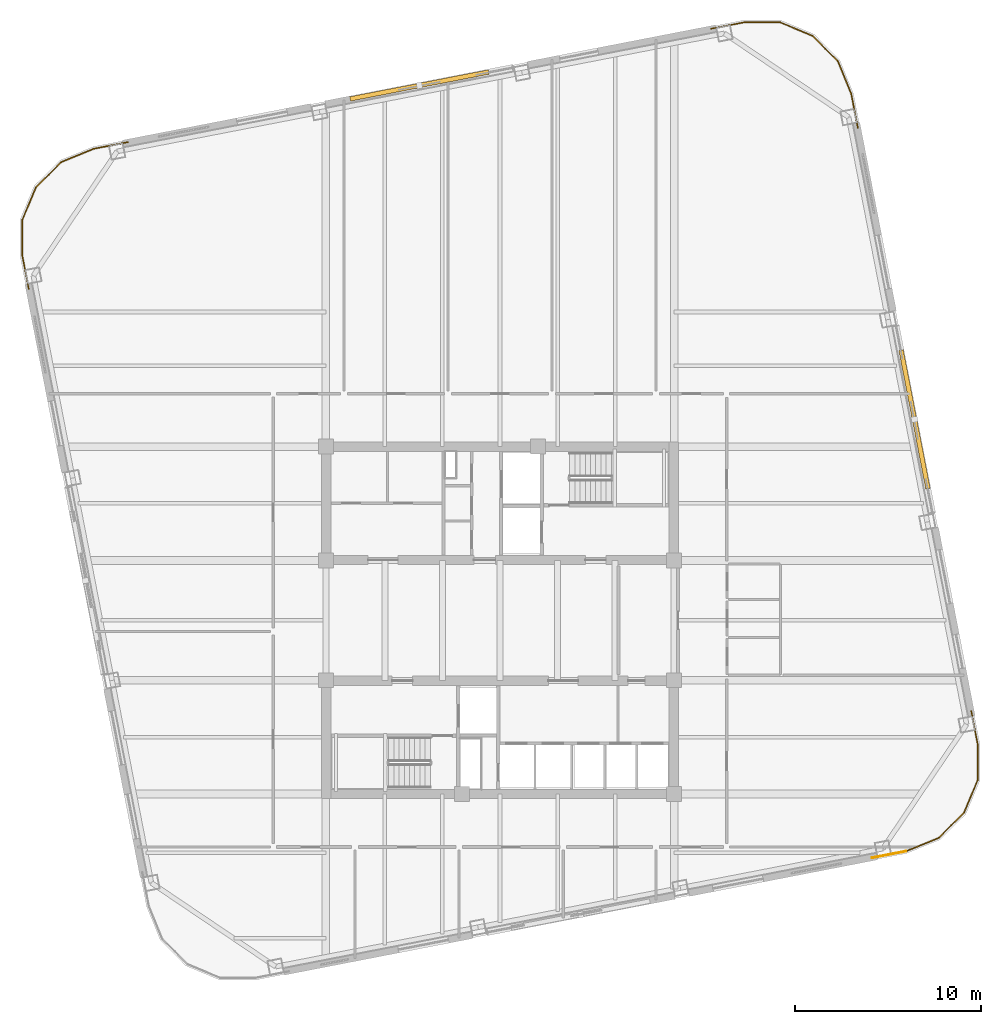
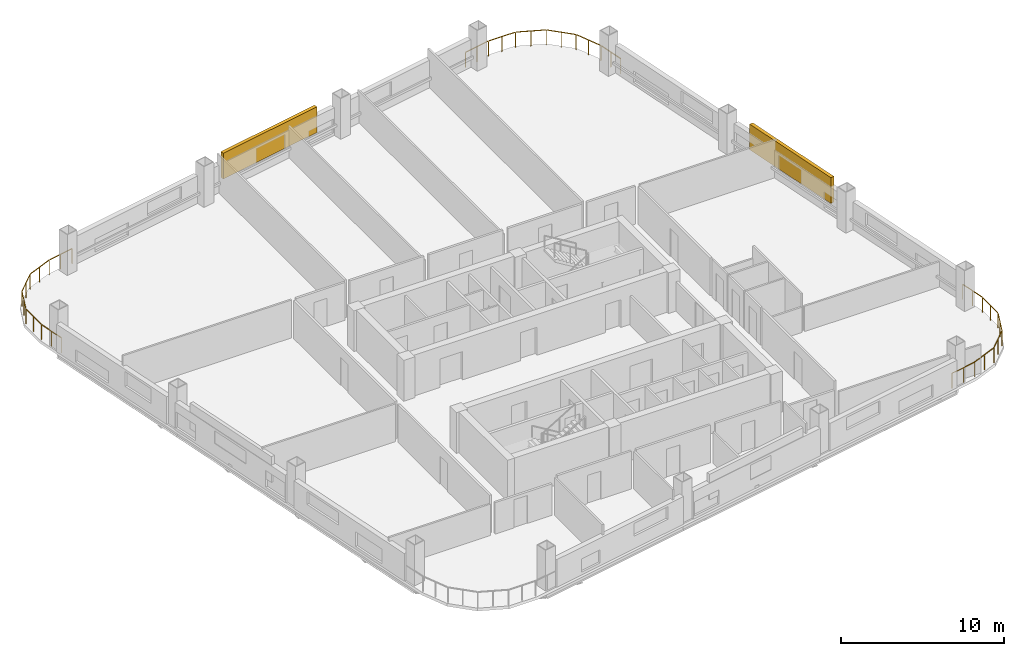
# One storey, part 9 of 9: 4 railings, 2 shading devices.
"""IFC4 building model written with IfcOpenShell, lengths in metres."""

import ifcopenshell
import ifcopenshell.guid

model = None  # the IFC model being written
_history = None  # IfcOwnerHistory: only IFC2X3 demands one
_inside = {}  # id of a spatial element -> (the spatial element, [elements in it])
_under = {}  # id of a project, library or spatial element -> (it, [spatial elements below it])
_declared = {}  # id of a project -> (the project, [libraries it declares])
_typed = {}  # id of a type object -> (the type object, [elements of that type])
_made_of = {}  # id of a material, layer set ... -> (it, [elements and type objects made of it])


def new_model(schema):
    """Start an empty IFC model of exactly this schema.

    Asked for "IFC4X3", IfcOpenShell would pick the latest addendum, in which some entities
    have other attributes; the version numbers below select the first issue.
    IFC2X3 requires an IfcOwnerHistory on every rooted entity: one is made here for all.
    """
    global model, _history
    if schema == "IFC4X3":
        model = ifcopenshell.file(schema_version=(4, 3, 0, 0))
    else:
        model = ifcopenshell.file(schema=schema)
    _inside.clear()
    _under.clear()
    _declared.clear()
    _typed.clear()
    _made_of.clear()
    _history = None
    if model.schema == "IFC2X3":
        org = make("IfcOrganization", Name="unknown")
        user = make(
            "IfcPersonAndOrganization",
            ThePerson=make("IfcPerson", FamilyName="unknown"),
            TheOrganization=org,
        )
        app = make(
            "IfcApplication",
            ApplicationDeveloper=org,
            Version="unknown",
            ApplicationFullName="unknown",
            ApplicationIdentifier="unknown",
        )
        _history = make(
            "IfcOwnerHistory",
            OwningUser=user,
            OwningApplication=app,
            ChangeAction="ADDED",
            CreationDate=0,
        )
    return model


def make(cls, **values):
    """One entity of the class cls with the attributes given. An attribute that is None is left unset."""
    return model.create_entity(
        cls, **{name: value for name, value in values.items() if value is not None}
    )


def rooted(cls, **values):
    """An entity with a GlobalId (a new one), such as an element, a storey or a relation."""
    return make(cls, GlobalId=ifcopenshell.guid.new(), OwnerHistory=_history, **values)


def si_unit(unit_type, name, prefix=None):
    """IfcSIUnit, for example si_unit("LENGTHUNIT", "METRE", prefix="MILLI")."""
    return make("IfcSIUnit", UnitType=unit_type, Prefix=prefix, Name=name)


def assignment(units):
    """IfcUnitAssignment: the units of a project."""
    return None if units is None else make("IfcUnitAssignment", Units=units)


def point(xyz):
    """IfcCartesianPoint."""
    return None if xyz is None else make("IfcCartesianPoint", Coordinates=xyz)


def direction(xyz):
    """IfcDirection."""
    return None if xyz is None else make("IfcDirection", DirectionRatios=xyz)


def frame(location, z_axis=None, x_axis=None):
    """IfcAxis2Placement3D, a coordinate frame: its origin and axes. An axis left out is left unset."""
    return make(
        "IfcAxis2Placement3D",
        Location=point(location),
        Axis=direction(z_axis),
        RefDirection=direction(x_axis),
    )


def frame_2d(location, x_axis=None):
    """IfcAxis2Placement2D, a coordinate frame in the plane: its origin and x axis."""
    return make(
        "IfcAxis2Placement2D", Location=point(location), RefDirection=direction(x_axis)
    )


def origin():
    """The frame at (0, 0, 0) with its axes left unset."""
    return frame((0.0, 0.0, 0.0))


def origin_2d():
    """The frame at (0, 0) in the plane with its x axis left unset."""
    return frame_2d((0.0, 0.0))


def place(relative_to, where):
    """IfcLocalPlacement: puts the frame where relative to a parent placement (None: the world)."""
    return make(
        "IfcLocalPlacement", PlacementRelTo=relative_to, RelativePlacement=where
    )


def context(
    kind, dimensions, precision=None, world=None, true_north=None, identifier=None
):
    """IfcGeometricRepresentationContext, for example the 3D "Model" context."""
    return make(
        "IfcGeometricRepresentationContext",
        ContextIdentifier=identifier,
        ContextType=kind,
        CoordinateSpaceDimension=dimensions,
        Precision=precision,
        WorldCoordinateSystem=world,
        TrueNorth=true_north,
    )


def subcontext(parent, identifier, kind, view, scale=None):
    """IfcGeometricRepresentationSubContext, for example "Body" below "Model"."""
    return make(
        "IfcGeometricRepresentationSubContext",
        ContextIdentifier=identifier,
        ContextType=kind,
        ParentContext=parent,
        TargetScale=scale,
        TargetView=view,
    )


def project(units=None, contexts=None):
    """IfcProject with its units and contexts."""
    return rooted(
        "IfcProject",
        Name="project",
        RepresentationContexts=contexts,
        UnitsInContext=assignment(units),
    )


def spatial(cls, under=None, at=None, **own):
    """A site, building, storey or space (cls), placed at a placement, below another one or the project."""
    s = rooted(cls, ObjectPlacement=at, **own)
    if under is not None:
        _under.setdefault(under.id(), (under, []))[1].append(s)
    return s


def profile(cls, at=None, kind="AREA", **sizes):
    """A parametric profile (cls). Its sizes go by their IFC names, for example OverallWidth=200.0."""
    return make(cls, ProfileType=kind, Position=at, **sizes)


def rectangle(**sizes):
    """IfcRectangleProfileDef."""
    return profile("IfcRectangleProfileDef", **sizes)


def extrude(swept, where, along, depth):
    """IfcExtrudedAreaSolid: the profile swept, set in the frame where, extruded along a direction by depth."""
    return make(
        "IfcExtrudedAreaSolid",
        SweptArea=swept,
        Position=where,
        ExtrudedDirection=direction(along),
        Depth=depth,
    )


def shape(context_of_items, identifier, shape_type, items):
    """IfcShapeRepresentation: the items that make up one representation, for example the "Body"."""
    return make(
        "IfcShapeRepresentation",
        ContextOfItems=context_of_items,
        RepresentationIdentifier=identifier,
        RepresentationType=shape_type,
        Items=items,
    )


def material(Name=None, Category=None):
    """IfcMaterial."""
    return make("IfcMaterial", Name=Name, Category=Category)


def made_of(thing, what):
    """Note that an element or type object is made of a material, layer set ...; save() writes the relation."""
    if what is not None:
        _made_of.setdefault(what.id(), (what, []))[1].append(thing)
    return thing


def type_object(cls, material=None, **own):
    """A type object (cls), such as IfcWallType, which elements share."""
    return made_of(rooted(cls, **own), material)


def element(
    cls,
    number,
    at=None,
    inside=None,
    cuts=None,
    type_object=None,
    material=None,
    context=None,
    identifier="Body",
    shape_type=None,
    held_by="IfcProductDefinitionShape",
    body=None,
    shapes=None,
    **own,
):
    """One element of the class cls, such as IfcWall. Its Tag is "e" and its number.

    at: its placement. inside: the storey or other place that contains it. cuts: it is an
    opening in that element (IfcRelVoidsElement). A single representation is given by context,
    identifier, shape_type and body (its items); several are given by shapes. held_by: the class
    of the entity that holds the representations. save() writes the other relations.
    """
    e = rooted(cls, Tag="e%d" % number, ObjectPlacement=at, **own)
    if body is not None:
        shapes = [shape(context, identifier, shape_type, body)]
    if shapes is not None:
        e.Representation = make(held_by, Representations=shapes)
    if inside is not None:
        _inside.setdefault(inside.id(), (inside, []))[1].append(e)
    if cuts is not None:
        rooted(
            "IfcRelVoidsElement", RelatingBuildingElement=cuts, RelatedOpeningElement=e
        )
    if type_object is not None:
        _typed.setdefault(type_object.id(), (type_object, []))[1].append(e)
    return made_of(e, material)


def aggregate(whole, parts):
    """IfcRelAggregates: a whole, such as a stair, and the parts it consists of."""
    return rooted("IfcRelAggregates", RelatingObject=whole, RelatedObjects=parts)


def save(model, path):
    """Write the relations noted so far, then the file.

    IfcRelAggregates (storeys below a building ...), IfcRelContainedInSpatialStructure (elements
    in a storey), IfcRelDefinesByType, IfcRelAssociatesMaterial and IfcRelDeclares: one each for
    every whole, place, type object, material and project.
    """
    for whole, parts in _under.values():
        aggregate(whole, parts)
    for where, things in _inside.values():
        rooted(
            "IfcRelContainedInSpatialStructure",
            RelatedElements=things,
            RelatingStructure=where,
        )
    for kind, things in _typed.values():
        rooted("IfcRelDefinesByType", RelatedObjects=things, RelatingType=kind)
    for what, things in _made_of.values():
        rooted("IfcRelAssociatesMaterial", RelatedObjects=things, RelatingMaterial=what)
    for by, libraries in _declared.values():
        rooted("IfcRelDeclares", RelatingContext=by, RelatedDefinitions=libraries)
    model.write(path)


model = new_model("IFC4")

# Units and contexts
model_context = context("Model", 3, precision=1e-05, world=origin(), true_north=direction((0.0, 1.0)))
body_context = subcontext(model_context, "Body", "Model", "MODEL_VIEW")
ifc_project = project(units=[si_unit("LENGTHUNIT", "METRE"), si_unit("AREAUNIT", "SQUARE_METRE"), si_unit("VOLUMEUNIT", "CUBIC_METRE"), si_unit("PLANEANGLEUNIT", "RADIAN"), si_unit("MASSUNIT", "GRAM", prefix="KILO")], contexts=[model_context])

# Site, building, storey
site_placement = place(None, origin())
site = spatial("IfcSite", under=ifc_project, at=site_placement, CompositionType="ELEMENT")
building_placement = place(site_placement, origin())
building = spatial("IfcBuilding", under=site, at=building_placement, Name="Qhalaya Broadcast Tower", CompositionType="ELEMENT")
storey_placement = place(building_placement, frame((0.0, 0.0, 128.050048828125)))
storey = spatial("IfcBuildingStorey", under=building, at=storey_placement, Name="L37", CompositionType="ELEMENT", Elevation=128.050048828125)

# Railings
ifc_material_1 = material(Name="Powder-Coated Galvanised Steel", Category="steel")
railing_type = type_object("IfcRailingType", Name="Terrace, Sky-Pool & Lookout Glass Balustrade 1150", PredefinedType="BALUSTRADE", material=ifc_material_1)
railing_1_placement = place(storey_placement, frame((21.847412109375, -11.82861328125, 0.0)))
element("IfcRailing", 1, at=railing_1_placement, inside=storey, type_object=railing_type, Name="L37 Rounded Corner Perimeter Guard 01", PredefinedType="BALUSTRADE", context=body_context, shape_type="SweptSolid", body=[
    extrude(rectangle(XDim=0.048095703125, YDim=0.048095703125, at=origin_2d()), frame((0.0, 0.0, 1.1259765625), z_axis=(-0.981618812261, -0.190852056357, 0.0), x_axis=(0.190852056357, -0.981618812261, 0.0)), (0.0, 0.0, 1.0), 1.856201171875),
    extrude(rectangle(XDim=0.0419921875, YDim=0.0419921875, at=origin_2d()), origin(), (0.0, 0.0, 1.0), 1.099853515625),
    extrude(rectangle(XDim=0.0419921875, YDim=0.0419921875, at=origin_2d()), frame((-0.9111328125, -0.17724609375, 0.0)), (0.0, 0.0, 1.0), 1.099853515625),
    extrude(rectangle(XDim=0.0419921875, YDim=0.0419921875, at=origin_2d()), frame((-1.822021484375, -0.354248046875, 0.0)), (0.0, 0.0, 1.0), 1.099853515625),
])
railing_2_placement = place(storey_placement, frame((-25.36181640625, 18.43115234375, 0.0)))
element("IfcRailing", 2, at=railing_2_placement, inside=storey, type_object=railing_type, Name="L37 Rounded Corner Perimeter Guard 03", PredefinedType="BALUSTRADE", context=body_context, shape_type="SweptSolid", body=[
    extrude(rectangle(XDim=0.048095703125, YDim=0.048095703125, at=origin_2d()), frame((0.0, 0.0, 1.1259765625), z_axis=(-0.190827417864, 0.981623602299, 0.0), x_axis=(-0.981623602299, -0.190827417864, 0.0)), (0.0, 0.0, 1.0), 1.82763671875),
    extrude(rectangle(XDim=0.048095703125, YDim=0.048095703125, at=origin_2d()), frame((-0.35400390625, 1.85107421875, 1.1259765625), z_axis=(0.004334482484, 0.999990606087, 0.0), x_axis=(-0.999990606087, 0.004334482484, 0.0)), (0.0, 0.0, 1.0), 1.857421875),
    extrude(rectangle(XDim=0.048095703125, YDim=0.048095703125, at=origin_2d()), frame((-0.334716796875, 3.763916015625, 1.1259765625), z_axis=(0.386754828875, 0.922182575384, 0.0), x_axis=(-0.922182575384, 0.386754828875, 0.0)), (0.0, 0.0, 1.0), 1.845458984375),
    extrude(rectangle(XDim=0.048095703125, YDim=0.048095703125, at=origin_2d()), frame((0.41064453125, 5.5126953125, 1.1259765625), z_axis=(0.710178888649, 0.704021268228, 0.0), x_axis=(-0.704021268228, 0.710178888649, 0.0)), (0.0, 0.0, 1.0), 1.845458984375),
    extrude(rectangle(XDim=0.048095703125, YDim=0.048095703125, at=origin_2d()), frame((1.768310546875, 6.84326171875, 1.1259765625), z_axis=(0.92552055863, 0.378697366711, 0.0), x_axis=(-0.378697366711, 0.92552055863, 0.0)), (0.0, 0.0, 1.0), 1.857666015625),
    extrude(rectangle(XDim=0.048095703125, YDim=0.048095703125, at=origin_2d()), frame((3.542724609375, 7.563232421875, 1.1259765625), z_axis=(0.981643446311, 0.190725311155, 0.0), x_axis=(-0.190725311155, 0.981643446311, 0.0)), (0.0, 0.0, 1.0), 1.8271484375),
    extrude(rectangle(XDim=0.0419921875, YDim=0.0419921875, at=origin_2d()), origin(), (0.0, 0.0, 1.0), 1.099853515625),
    extrude(rectangle(XDim=0.0419921875, YDim=0.0419921875, at=origin_2d()), frame((-0.17724609375, 0.9111328125, 0.0)), (0.0, 0.0, 1.0), 1.099853515625),
    extrude(rectangle(XDim=0.0419921875, YDim=0.0419921875, at=origin_2d()), frame((-0.354248046875, 1.822265625, 0.0)), (0.0, 0.0, 1.0), 1.099853515625),
    extrude(rectangle(XDim=0.0419921875, YDim=0.0419921875, at=origin_2d()), frame((-0.35009765625, 2.77978515625, 0.0)), (0.0, 0.0, 1.0), 1.099853515625),
    extrude(rectangle(XDim=0.0419921875, YDim=0.0419921875, at=origin_2d()), frame((-0.345947265625, 3.7373046875, 0.0)), (0.0, 0.0, 1.0), 1.099853515625),
    extrude(rectangle(XDim=0.0419921875, YDim=0.0419921875, at=origin_2d()), frame((0.02197265625, 4.61474609375, 0.0)), (0.0, 0.0, 1.0), 1.099853515625),
    extrude(rectangle(XDim=0.0419921875, YDim=0.0419921875, at=origin_2d()), frame((0.39013671875, 5.492431640625, 0.0)), (0.0, 0.0, 1.0), 1.099853515625),
    extrude(rectangle(XDim=0.0419921875, YDim=0.0419921875, at=origin_2d()), frame((1.06591796875, 6.162353515625, 0.0)), (0.0, 0.0, 1.0), 1.099853515625),
    extrude(rectangle(XDim=0.0419921875, YDim=0.0419921875, at=origin_2d()), frame((1.74169921875, 6.832275390625, 0.0)), (0.0, 0.0, 1.0), 1.099853515625),
    extrude(rectangle(XDim=0.0419921875, YDim=0.0419921875, at=origin_2d()), frame((2.6279296875, 7.19482421875, 0.0)), (0.0, 0.0, 1.0), 1.099853515625),
    extrude(rectangle(XDim=0.0419921875, YDim=0.0419921875, at=origin_2d()), frame((3.514404296875, 7.5576171875, 0.0)), (0.0, 0.0, 1.0), 1.099853515625),
    extrude(rectangle(XDim=0.0419921875, YDim=0.0419921875, at=origin_2d()), frame((4.42529296875, 7.734619140625, 0.0)), (0.0, 0.0, 1.0), 1.099853515625),
    extrude(rectangle(XDim=0.0419921875, YDim=0.0419921875, at=origin_2d()), frame((5.33642578125, 7.91162109375, 0.0)), (0.0, 0.0, 1.0), 1.099853515625),
])
railing_3_placement = place(storey_placement, frame((11.351318359375, 32.44189453125, 0.0)))
element("IfcRailing", 3, at=railing_3_placement, inside=storey, type_object=railing_type, Name="L37 Rounded Corner Perimeter Guard 04", PredefinedType="BALUSTRADE", context=body_context, shape_type="SweptSolid", body=[
    extrude(rectangle(XDim=0.048095703125, YDim=0.048095703125, at=origin_2d()), frame((0.0, 0.0, 1.1259765625), z_axis=(0.981643446311, 0.190725311155, 0.0), x_axis=(-0.190725311155, 0.981643446311, 0.0)), (0.0, 0.0, 1.0), 1.8271484375),
    extrude(rectangle(XDim=0.048095703125, YDim=0.048095703125, at=origin_2d()), frame((1.850830078125, 0.353759765625, 1.1259765625), z_axis=(0.999990606087, -0.004334482484, 0.0), x_axis=(0.004334482484, 0.999990606087, 0.0)), (0.0, 0.0, 1.0), 1.857421875),
    extrude(rectangle(XDim=0.048095703125, YDim=0.048095703125, at=origin_2d()), frame((3.763671875, 0.33447265625, 1.1259765625), z_axis=(0.922247496545, -0.386599993684, 0.0), x_axis=(0.386599993684, 0.922247496545, 0.0)), (0.0, 0.0, 1.0), 1.845703125),
    extrude(rectangle(XDim=0.048095703125, YDim=0.048095703125, at=origin_2d()), frame((5.5126953125, -0.41064453125, 1.1259765625), z_axis=(0.704021268228, -0.710178888649, 0.0), x_axis=(0.710178888649, 0.704021268228, 0.0)), (0.0, 0.0, 1.0), 1.845458984375),
    extrude(rectangle(XDim=0.048095703125, YDim=0.048095703125, at=origin_2d()), frame((6.84326171875, -1.768310546875, 1.1259765625), z_axis=(0.378588174109, -0.925565229698, 0.0), x_axis=(0.925565229698, 0.378588174109, 0.0)), (0.0, 0.0, 1.0), 1.857666015625),
    extrude(rectangle(XDim=0.048095703125, YDim=0.048095703125, at=origin_2d()), frame((7.56298828125, -3.542724609375, 1.1259765625), z_axis=(0.190725311155, -0.981643446311, 0.0), x_axis=(0.981643446311, 0.190725311155, 0.0)), (0.0, 0.0, 1.0), 1.8271484375),
    extrude(rectangle(XDim=0.0419921875, YDim=0.0419921875, at=origin_2d()), origin(), (0.0, 0.0, 1.0), 1.099853515625),
    extrude(rectangle(XDim=0.0419921875, YDim=0.0419921875, at=origin_2d()), frame((0.9111328125, 0.177001953125, 0.0)), (0.0, 0.0, 1.0), 1.099853515625),
    extrude(rectangle(XDim=0.0419921875, YDim=0.0419921875, at=origin_2d()), frame((1.822021484375, 0.35400390625, 0.0)), (0.0, 0.0, 1.0), 1.099853515625),
    extrude(rectangle(XDim=0.0419921875, YDim=0.0419921875, at=origin_2d()), frame((2.779541015625, 0.349853515625, 0.0)), (0.0, 0.0, 1.0), 1.099853515625),
    extrude(rectangle(XDim=0.0419921875, YDim=0.0419921875, at=origin_2d()), frame((3.737060546875, 0.345703125, 0.0)), (0.0, 0.0, 1.0), 1.099853515625),
    extrude(rectangle(XDim=0.0419921875, YDim=0.0419921875, at=origin_2d()), frame((4.61474609375, -0.022216796875, 0.0)), (0.0, 0.0, 1.0), 1.099853515625),
    extrude(rectangle(XDim=0.0419921875, YDim=0.0419921875, at=origin_2d()), frame((5.492431640625, -0.39013671875, 0.0)), (0.0, 0.0, 1.0), 1.099853515625),
    extrude(rectangle(XDim=0.0419921875, YDim=0.0419921875, at=origin_2d()), frame((6.162353515625, -1.06591796875, 0.0)), (0.0, 0.0, 1.0), 1.099853515625),
    extrude(rectangle(XDim=0.0419921875, YDim=0.0419921875, at=origin_2d()), frame((6.832275390625, -1.74169921875, 0.0)), (0.0, 0.0, 1.0), 1.099853515625),
    extrude(rectangle(XDim=0.0419921875, YDim=0.0419921875, at=origin_2d()), frame((7.19482421875, -2.6279296875, 0.0)), (0.0, 0.0, 1.0), 1.099853515625),
    extrude(rectangle(XDim=0.0419921875, YDim=0.0419921875, at=origin_2d()), frame((7.557373046875, -3.514404296875, 0.0)), (0.0, 0.0, 1.0), 1.099853515625),
    extrude(rectangle(XDim=0.0419921875, YDim=0.0419921875, at=origin_2d()), frame((7.734375, -4.42529296875, 0.0)), (0.0, 0.0, 1.0), 1.099853515625),
    extrude(rectangle(XDim=0.0419921875, YDim=0.0419921875, at=origin_2d()), frame((7.911376953125, -5.33642578125, 0.0)), (0.0, 0.0, 1.0), 1.099853515625),
])
railing_4_placement = place(storey_placement, frame((25.36181640625, -4.271240234375, 0.0)))
element("IfcRailing", 4, at=railing_4_placement, inside=storey, type_object=railing_type, Name="L37 Rounded Corner Perimeter Guard 05", PredefinedType="BALUSTRADE", context=body_context, shape_type="SweptSolid", body=[
    extrude(rectangle(XDim=0.048095703125, YDim=0.048095703125, at=origin_2d()), frame((0.0, 0.0, 1.1259765625), z_axis=(0.190827417864, -0.981623602299, 0.0), x_axis=(0.981623602299, 0.190827417864, 0.0)), (0.0, 0.0, 1.0), 1.82763671875),
    extrude(rectangle(XDim=0.048095703125, YDim=0.048095703125, at=origin_2d()), frame((0.35400390625, -1.85107421875, 1.1259765625), z_axis=(-0.004334482484, -0.999990606087, 0.0), x_axis=(0.999990606087, -0.004334482484, 0.0)), (0.0, 0.0, 1.0), 1.857421875),
    extrude(rectangle(XDim=0.048095703125, YDim=0.048095703125, at=origin_2d()), frame((0.334716796875, -3.763916015625, 1.1259765625), z_axis=(-0.386754828875, -0.922182575384, 0.0), x_axis=(0.922182575384, -0.386754828875, 0.0)), (0.0, 0.0, 1.0), 1.845458984375),
    extrude(rectangle(XDim=0.048095703125, YDim=0.048095703125, at=origin_2d()), frame((-0.41064453125, -5.5126953125, 1.1259765625), z_axis=(-0.710178888649, -0.704021268228, 0.0), x_axis=(0.704021268228, -0.710178888649, 0.0)), (0.0, 0.0, 1.0), 1.845458984375),
    extrude(rectangle(XDim=0.048095703125, YDim=0.048095703125, at=origin_2d()), frame((-1.768310546875, -6.84326171875, 1.1259765625), z_axis=(-0.925565229698, -0.378588174109, 0.0), x_axis=(0.378588174109, -0.925565229698, 0.0)), (0.0, 0.0, 1.0), 1.886474609375),
    extrude(rectangle(XDim=0.0419921875, YDim=0.0419921875, at=origin_2d()), origin(), (0.0, 0.0, 1.0), 1.099853515625),
    extrude(rectangle(XDim=0.0419921875, YDim=0.0419921875, at=origin_2d()), frame((0.17724609375, -0.9111328125, 0.0)), (0.0, 0.0, 1.0), 1.099853515625),
    extrude(rectangle(XDim=0.0419921875, YDim=0.0419921875, at=origin_2d()), frame((0.354248046875, -1.822265625, 0.0)), (0.0, 0.0, 1.0), 1.099853515625),
    extrude(rectangle(XDim=0.0419921875, YDim=0.0419921875, at=origin_2d()), frame((0.35009765625, -2.77978515625, 0.0)), (0.0, 0.0, 1.0), 1.099853515625),
    extrude(rectangle(XDim=0.0419921875, YDim=0.0419921875, at=origin_2d()), frame((0.345947265625, -3.7373046875, 0.0)), (0.0, 0.0, 1.0), 1.099853515625),
    extrude(rectangle(XDim=0.0419921875, YDim=0.0419921875, at=origin_2d()), frame((-0.02197265625, -4.61474609375, 0.0)), (0.0, 0.0, 1.0), 1.099853515625),
    extrude(rectangle(XDim=0.0419921875, YDim=0.0419921875, at=origin_2d()), frame((-0.39013671875, -5.492431640625, 0.0)), (0.0, 0.0, 1.0), 1.099853515625),
    extrude(rectangle(XDim=0.0419921875, YDim=0.0419921875, at=origin_2d()), frame((-1.06591796875, -6.162353515625, 0.0)), (0.0, 0.0, 1.0), 1.099853515625),
    extrude(rectangle(XDim=0.0419921875, YDim=0.0419921875, at=origin_2d()), frame((-1.74169921875, -6.832275390625, 0.0)), (0.0, 0.0, 1.0), 1.099853515625),
    extrude(rectangle(XDim=0.0419921875, YDim=0.0419921875, at=origin_2d()), frame((-2.6279296875, -7.19482421875, 0.0)), (0.0, 0.0, 1.0), 1.099853515625),
    extrude(rectangle(XDim=0.0419921875, YDim=0.0419921875, at=origin_2d()), frame((-3.514404296875, -7.557373046875, 0.0)), (0.0, 0.0, 1.0), 1.099853515625),
])

# Shading devices
ifc_material_2 = material(Name="Fired Architectural Terracotta", Category="masonry")
shading_device_type = type_object("IfcShadingDeviceType", Name="Terracotta Baguette Solar Screen Assembly TBS-01", PredefinedType="USERDEFINED", material=ifc_material_2)
for number, where, z_axis, x_axis, name in (
    (5, (22.3125, 11.4169921875, 0.79248046875), (0.0, 0.0, 1.0), (-0.190808995377, 0.981627183448, 0.0), "L37 Fired Terracotta Baguette Screen E"),
    (6, (-4.337158203125, 29.392333984375, 0.79248046875), (0.0, 0.0, 1.0), (-0.981627183448, -0.190808995377, 0.0), "L37 Fired Terracotta Baguette Screen N"),
):
    element("IfcShadingDevice", number, at=place(storey_placement, frame(where, z_axis=z_axis, x_axis=x_axis)), inside=storey, type_object=shading_device_type, Name=name, ObjectType="BAGUETTE", PredefinedType="USERDEFINED", context=body_context, shape_type="SweptSolid", body=[
        extrude(rectangle(XDim=7.60009765625, YDim=0.239990234375, at=origin_2d()), origin(), (0.0, 0.0, 1.0), 1.924072265625),
    ])

save(model, "model.ifc")
